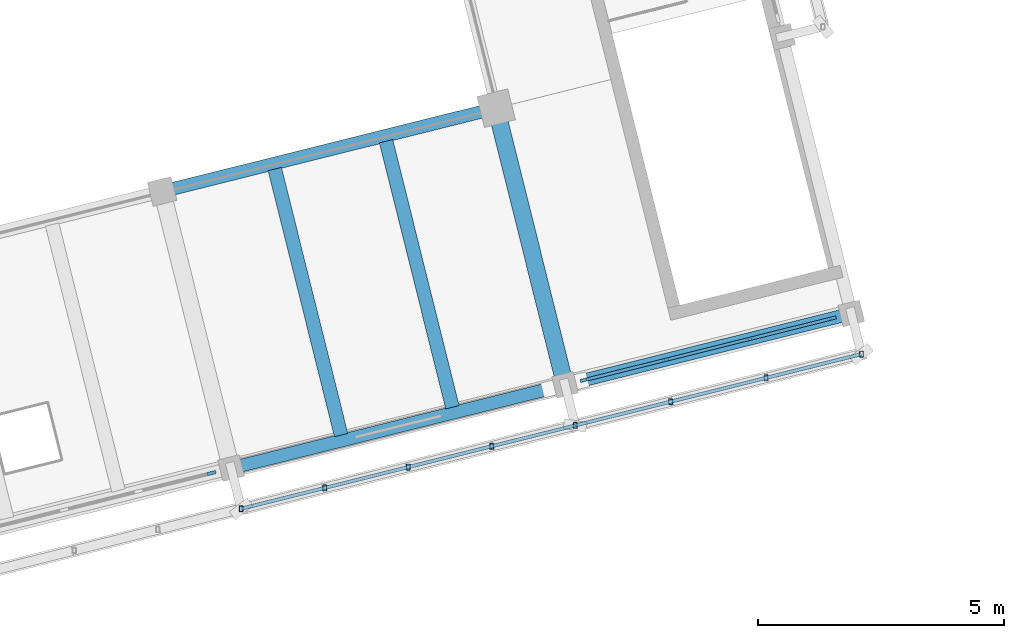
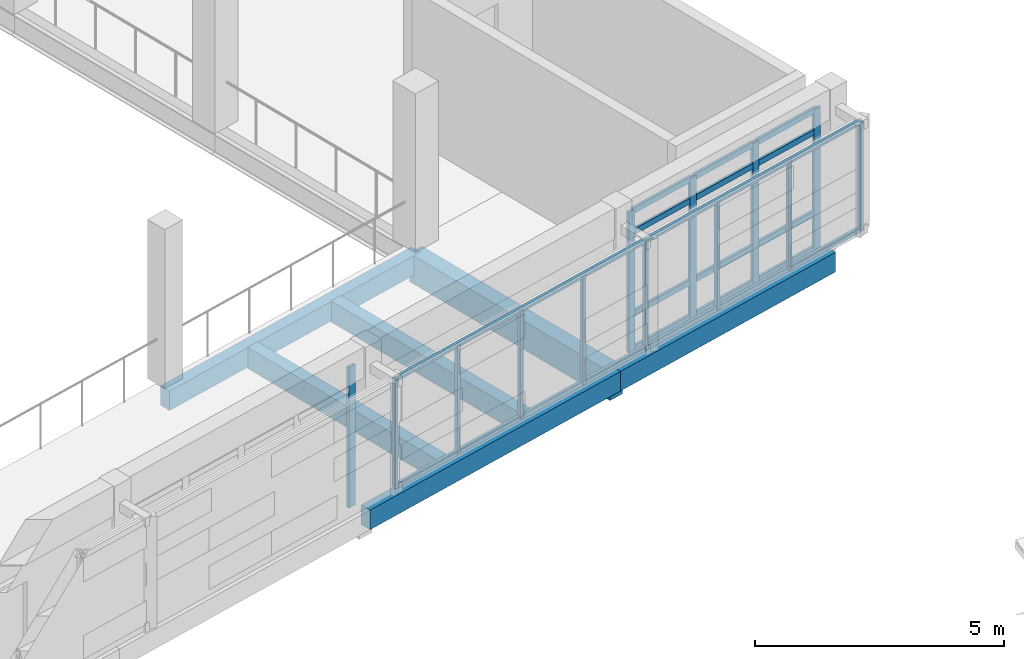
# One storey, part 12 of 117: 29 members, 6 beams, 2 elements without a shape of their own.
"""IFC4 building model written with IfcOpenShell, lengths in metres."""

from ifc_helpers import new_model, si_unit, direction, frame, origin, origin_2d, place, context, subcontext, project, spatial, rectangle, hollow_rectangle, extrude, material, material_profile, profile_set, type_object, element, aggregate, save


model = new_model("IFC4")

# Units and contexts
model_context = context("Model", 3, precision=1e-05, world=origin(), true_north=direction((0.0, 1.0)))
body_context = subcontext(model_context, "Body", "Model", "MODEL_VIEW")
ifc_project = project(units=[si_unit("LENGTHUNIT", "METRE"), si_unit("AREAUNIT", "SQUARE_METRE"), si_unit("VOLUMEUNIT", "CUBIC_METRE"), si_unit("PLANEANGLEUNIT", "RADIAN"), si_unit("MASSUNIT", "GRAM", prefix="KILO")], contexts=[model_context])

# Site, building, storey
site_placement = place(None, origin())
site = spatial("IfcSite", under=ifc_project, at=site_placement, CompositionType="ELEMENT")
building_placement = place(site_placement, origin())
building = spatial("IfcBuilding", under=site, at=building_placement, Name="Cinderway Yard Community Centre", CompositionType="ELEMENT")
storey_placement = place(building_placement, frame((0.0, 0.0, 9.0)))
storey = spatial("IfcBuildingStorey", under=building, at=storey_placement, Name="L02", CompositionType="ELEMENT", Elevation=9.0)

# Curtain wall, member
ifc_material_1 = material(Name="Aluminium 6063-T6", Category="aluminium")
curtain_wall_type_1 = type_object("IfcCurtainWallType", Name="ENV-CW-TYPE-08", PredefinedType="USERDEFINED", material=ifc_material_1)
curtain_wall_1_placement = place(storey_placement, origin())
curtain_wall_1 = element("IfcCurtainWall", 1, at=curtain_wall_1_placement, inside=storey, type_object=curtain_wall_type_1, Name="Sanctuary South Curtain Wall ENV-CW-L02-HS-0027", ObjectType="GLAZED CURTAIN WALL", PredefinedType="USERDEFINED")
ifc_material_profile_1 = material_profile(ifc_material_1, rectangle(XDim=0.06494140625, YDim=0.179931640625, at=origin_2d()), Name="Aluminium 6063-T6")
ifc_profile_set_1 = profile_set([ifc_material_profile_1], Name="Aluminium 6063-T6")
member_type_1 = type_object("IfcMemberType", Name="ENV-CW-MULL-180", PredefinedType="MULLION", material=ifc_profile_set_1)
member_1_placement = place(storey_placement, frame((41.19091796875, 24.4697265625, 0.0), z_axis=(0.0, 0.0, 1.0), x_axis=(-0.241856748919, 0.970311966845, 0.0)))
member_1 = element("IfcMember", 2, at=member_1_placement, type_object=member_type_1, Name="CW-08 mullion 5", PredefinedType="MULLION", context=body_context, shape_type="SweptSolid", body=[
    extrude(rectangle(XDim=0.06494140625, YDim=0.179931640625, at=origin_2d()), origin(), (0.0, 0.0, 1.0), 3.449951171875),
])
aggregate(curtain_wall_1, [member_1])

# Curtain wall, members
curtain_wall_type_2 = type_object("IfcCurtainWallType", Name="ENV-CW-TYPE-09", PredefinedType="USERDEFINED", material=ifc_material_1)
curtain_wall_2_placement = place(storey_placement, origin())
curtain_wall_2 = element("IfcCurtainWall", 3, at=curtain_wall_2_placement, inside=storey, type_object=curtain_wall_type_2, Name="Sanctuary South Curtain Wall ENV-CW-L02-HS-0028", ObjectType="GLAZED CURTAIN WALL", PredefinedType="USERDEFINED")
member_2_placement = place(storey_placement, frame((48.779052734375, 26.3623046875, 0.0), z_axis=(0.0, 0.0, 1.0), x_axis=(-0.241817034428, 0.970321865084, 0.0)))
member_2 = element("IfcMember", 4, at=member_2_placement, type_object=member_type_1, Name="CW-09 mullion 1", PredefinedType="MULLION", context=body_context, shape_type="SweptSolid", body=[
    extrude(rectangle(XDim=0.06494140625, YDim=0.179931640625, at=origin_2d()), origin(), (0.0, 0.0, 1.0), 3.449951171875),
])
member_3_placement = place(storey_placement, frame((50.444580078125, 26.77734375, 0.0), z_axis=(0.0, 0.0, 1.0), x_axis=(-0.241817034428, 0.970321865084, 0.0)))
member_3 = element("IfcMember", 5, at=member_3_placement, type_object=member_type_1, Name="CW-09 mullion 2", PredefinedType="MULLION", context=body_context, shape_type="SweptSolid", body=[
    extrude(rectangle(XDim=0.06494140625, YDim=0.179931640625, at=origin_2d()), origin(), (0.0, 0.0, 1.0), 3.449951171875),
])
member_4_placement = place(storey_placement, frame((52.139404296875, 27.19970703125, 0.0), z_axis=(0.0, 0.0, 1.0), x_axis=(-0.241817034428, 0.970321865084, 0.0)))
member_4 = element("IfcMember", 6, at=member_4_placement, type_object=member_type_1, Name="CW-09 mullion 3", PredefinedType="MULLION", context=body_context, shape_type="SweptSolid", body=[
    extrude(rectangle(XDim=0.06494140625, YDim=0.179931640625, at=origin_2d()), origin(), (0.0, 0.0, 1.0), 3.449951171875),
])
member_5_placement = place(storey_placement, frame((53.804931640625, 27.61474609375, 0.0), z_axis=(0.0, 0.0, 1.0), x_axis=(-0.241817034428, 0.970321865084, 0.0)))
member_5 = element("IfcMember", 7, at=member_5_placement, type_object=member_type_1, Name="CW-09 mullion 4", PredefinedType="MULLION", context=body_context, shape_type="SweptSolid", body=[
    extrude(rectangle(XDim=0.06494140625, YDim=0.179931640625, at=origin_2d()), origin(), (0.0, 0.0, 1.0), 3.449951171875),
])
ifc_material_profile_2 = material_profile(ifc_material_1, rectangle(XDim=0.06494140625, YDim=0.139892578125, at=origin_2d()), Name="Aluminium 6063-T6")
ifc_profile_set_2 = profile_set([ifc_material_profile_2], Name="Aluminium 6063-T6")
member_type_2 = type_object("IfcMemberType", Name="ENV-CW-TRAN-140", PredefinedType="USERDEFINED", material=ifc_profile_set_2)
member_6_placement = place(storey_placement, frame((48.80810546875, 26.36962890625, 0.030029296875), z_axis=(0.970350209099, 0.241703272011, 0.0), x_axis=(-0.241703272011, 0.970350209099, 0.0)))
member_6 = element("IfcMember", 8, at=member_6_placement, type_object=member_type_2, Name="CW-09 transom 1.1", ObjectType="TRANSOM", PredefinedType="USERDEFINED", context=body_context, shape_type="SweptSolid", body=[
    extrude(rectangle(XDim=0.06494140625, YDim=0.139892578125, at=origin_2d()), origin(), (0.0, 0.0, 1.0), 1.656494140625),
])
member_7_placement = place(storey_placement, frame((48.80810546875, 26.36962890625, 0.89990234375), z_axis=(0.970350209099, 0.241703272011, 0.0), x_axis=(-0.241703272011, 0.970350209099, 0.0)))
member_7 = element("IfcMember", 9, at=member_7_placement, type_object=member_type_2, Name="CW-09 transom 1.2", ObjectType="TRANSOM", PredefinedType="USERDEFINED", context=body_context, shape_type="SweptSolid", body=[
    extrude(rectangle(XDim=0.06494140625, YDim=0.139892578125, at=origin_2d()), origin(), (0.0, 0.0, 1.0), 1.656494140625),
])
member_8_placement = place(storey_placement, frame((48.80810546875, 26.36962890625, 2.89990234375), z_axis=(0.970350209099, 0.241703272011, 0.0), x_axis=(-0.241703272011, 0.970350209099, 0.0)))
member_8 = element("IfcMember", 10, at=member_8_placement, type_object=member_type_2, Name="CW-09 transom 1.3", ObjectType="TRANSOM", PredefinedType="USERDEFINED", context=body_context, shape_type="SweptSolid", body=[
    extrude(rectangle(XDim=0.06494140625, YDim=0.139892578125, at=origin_2d()), origin(), (0.0, 0.0, 1.0), 1.656494140625),
])
member_9_placement = place(storey_placement, frame((48.80810546875, 26.36962890625, 3.419921875), z_axis=(0.970350209099, 0.241703272011, 0.0), x_axis=(-0.241703272011, 0.970350209099, 0.0)))
member_9 = element("IfcMember", 11, at=member_9_placement, type_object=member_type_2, Name="CW-09 transom 1.4", ObjectType="TRANSOM", PredefinedType="USERDEFINED", context=body_context, shape_type="SweptSolid", body=[
    extrude(rectangle(XDim=0.06494140625, YDim=0.139892578125, at=origin_2d()), origin(), (0.0, 0.0, 1.0), 1.656494140625),
])
member_10_placement = place(storey_placement, frame((50.473876953125, 26.78466796875, 0.030029296875), z_axis=(0.970329575716, 0.241786092427, 0.0), x_axis=(-0.241786092427, 0.970329575716, 0.0)))
member_10 = element("IfcMember", 12, at=member_10_placement, type_object=member_type_2, Name="CW-09 transom 2.1", ObjectType="TRANSOM", PredefinedType="USERDEFINED", context=body_context, shape_type="SweptSolid", body=[
    extrude(rectangle(XDim=0.06494140625, YDim=0.139892578125, at=origin_2d()), origin(), (0.0, 0.0, 1.0), 1.686279296875),
])
member_11_placement = place(storey_placement, frame((50.473876953125, 26.78466796875, 0.89990234375), z_axis=(0.970329575716, 0.241786092427, 0.0), x_axis=(-0.241786092427, 0.970329575716, 0.0)))
member_11 = element("IfcMember", 13, at=member_11_placement, type_object=member_type_2, Name="CW-09 transom 2.2", ObjectType="TRANSOM", PredefinedType="USERDEFINED", context=body_context, shape_type="SweptSolid", body=[
    extrude(rectangle(XDim=0.06494140625, YDim=0.139892578125, at=origin_2d()), origin(), (0.0, 0.0, 1.0), 1.686279296875),
])
member_12_placement = place(storey_placement, frame((50.473876953125, 26.78466796875, 2.89990234375), z_axis=(0.970329575716, 0.241786092427, 0.0), x_axis=(-0.241786092427, 0.970329575716, 0.0)))
member_12 = element("IfcMember", 14, at=member_12_placement, type_object=member_type_2, Name="CW-09 transom 2.3", ObjectType="TRANSOM", PredefinedType="USERDEFINED", context=body_context, shape_type="SweptSolid", body=[
    extrude(rectangle(XDim=0.06494140625, YDim=0.139892578125, at=origin_2d()), origin(), (0.0, 0.0, 1.0), 1.686279296875),
])
member_13_placement = place(storey_placement, frame((50.473876953125, 26.78466796875, 3.419921875), z_axis=(0.970329575716, 0.241786092427, 0.0), x_axis=(-0.241786092427, 0.970329575716, 0.0)))
member_13 = element("IfcMember", 15, at=member_13_placement, type_object=member_type_2, Name="CW-09 transom 2.4", ObjectType="TRANSOM", PredefinedType="USERDEFINED", context=body_context, shape_type="SweptSolid", body=[
    extrude(rectangle(XDim=0.06494140625, YDim=0.139892578125, at=origin_2d()), origin(), (0.0, 0.0, 1.0), 1.686279296875),
])
member_14_placement = place(storey_placement, frame((52.16845703125, 27.20703125, 0.030029296875), z_axis=(0.970350209099, 0.241703272011, 0.0), x_axis=(-0.241703272011, 0.970350209099, 0.0)))
member_14 = element("IfcMember", 16, at=member_14_placement, type_object=member_type_2, Name="CW-09 transom 3.1", ObjectType="TRANSOM", PredefinedType="USERDEFINED", context=body_context, shape_type="SweptSolid", body=[
    extrude(rectangle(XDim=0.06494140625, YDim=0.139892578125, at=origin_2d()), origin(), (0.0, 0.0, 1.0), 1.656494140625),
])
member_15_placement = place(storey_placement, frame((52.16845703125, 27.20703125, 0.89990234375), z_axis=(0.970350209099, 0.241703272011, 0.0), x_axis=(-0.241703272011, 0.970350209099, 0.0)))
member_15 = element("IfcMember", 17, at=member_15_placement, type_object=member_type_2, Name="CW-09 transom 3.2", ObjectType="TRANSOM", PredefinedType="USERDEFINED", context=body_context, shape_type="SweptSolid", body=[
    extrude(rectangle(XDim=0.06494140625, YDim=0.139892578125, at=origin_2d()), origin(), (0.0, 0.0, 1.0), 1.656494140625),
])
member_16_placement = place(storey_placement, frame((52.16845703125, 27.20703125, 2.89990234375), z_axis=(0.970350209099, 0.241703272011, 0.0), x_axis=(-0.241703272011, 0.970350209099, 0.0)))
member_16 = element("IfcMember", 18, at=member_16_placement, type_object=member_type_2, Name="CW-09 transom 3.3", ObjectType="TRANSOM", PredefinedType="USERDEFINED", context=body_context, shape_type="SweptSolid", body=[
    extrude(rectangle(XDim=0.06494140625, YDim=0.139892578125, at=origin_2d()), origin(), (0.0, 0.0, 1.0), 1.656494140625),
])
member_17_placement = place(storey_placement, frame((52.16845703125, 27.20703125, 3.419921875), z_axis=(0.970350209099, 0.241703272011, 0.0), x_axis=(-0.241703272011, 0.970350209099, 0.0)))
member_17 = element("IfcMember", 19, at=member_17_placement, type_object=member_type_2, Name="CW-09 transom 3.4", ObjectType="TRANSOM", PredefinedType="USERDEFINED", context=body_context, shape_type="SweptSolid", body=[
    extrude(rectangle(XDim=0.06494140625, YDim=0.139892578125, at=origin_2d()), origin(), (0.0, 0.0, 1.0), 1.656494140625),
])
aggregate(curtain_wall_2, [member_2, member_3, member_4, member_5, member_6, member_7, member_8, member_9, member_10, member_11, member_12, member_13, member_14, member_15, member_16, member_17])

# Members
ifc_material_2 = material(Name="Steel S355", Category="steel")
ifc_material_profile_3 = material_profile(ifc_material_2, hollow_rectangle(XDim=0.080078125, YDim=0.1201171875, WallThickness=0.00634765625, InnerFilletRadius=0.00634765625, OuterFilletRadius=0.0126953125, at=origin_2d()), Name="Steel S355")
ifc_profile_set_3 = profile_set([ifc_material_profile_3], Name="Steel S355")
member_type_3 = type_object("IfcMemberType", Name="ENV-MEM-SCREEN-RAIL-120", PredefinedType="STRINGER", material=ifc_profile_set_3)
member_18_placement = place(storey_placement, frame((41.794921875, 23.743896484375, 0.68994140625), z_axis=(0.0, 0.0, 1.0), x_axis=(1.0, 0.0, 0.0)))
element("IfcMember", 20, at=member_18_placement, inside=storey, type_object=member_type_3, Name="Screen vertical mullion 0953", PredefinedType="STRINGER", context=body_context, shape_type="SweptSolid", body=[
    extrude(hollow_rectangle(XDim=0.080078125, YDim=0.1201171875, WallThickness=0.00634765625, InnerFilletRadius=0.00634765625, OuterFilletRadius=0.0126953125, at=origin_2d()), origin(), (0.0, 0.0, 1.0), 2.670166015625),
])
for number, where, z_axis, x_axis, name in (
    (21, (41.794921875, 23.743896484375, 0.7099609375), (0.970273659022, 0.242010385333, 0.0), (-0.242010385333, 0.970273659022, 0.0), "Screen support rail 0955-BOT"),
    (22, (41.794921875, 23.743896484375, 3.340087890625), (0.970273659022, 0.242010385333, 0.0), (-0.242010385333, 0.970273659022, 0.0), "Screen support rail 0956-TOP"),
):
    element("IfcMember", number, at=place(storey_placement, frame(where, z_axis=z_axis, x_axis=x_axis)), inside=storey, type_object=member_type_3, Name=name, PredefinedType="STRINGER", context=body_context, shape_type="SweptSolid", body=[
        extrude(hollow_rectangle(XDim=0.080078125, YDim=0.1201171875, WallThickness=0.00634765625, InnerFilletRadius=0.00634765625, OuterFilletRadius=0.0126953125, at=origin_2d()), origin(), (0.0, 0.0, 1.0), 7.0),
    ])
for number, where, z_axis, x_axis, name in (
    (23, (43.492919921875, 24.16796875, 0.68994140625), (0.0, 0.0, 1.0), (1.0, 0.0, 0.0), "Screen vertical mullion 0957"),
    (24, (45.19091796875, 24.591064453125, 0.68994140625), (0.0, 0.0, 1.0), (1.0, 0.0, 0.0), "Screen vertical mullion 0958"),
    (25, (46.888916015625, 25.013916015625, 0.68994140625), (0.0, 0.0, 1.0), (1.0, 0.0, 0.0), "Screen vertical mullion 0959"),
    (26, (48.5869140625, 25.43798828125, 0.68994140625), (0.0, 0.0, 1.0), (1.0, 0.0, 0.0), "Screen vertical mullion 0960"),
):
    element("IfcMember", number, at=place(storey_placement, frame(where, z_axis=z_axis, x_axis=x_axis)), inside=storey, type_object=member_type_3, Name=name, PredefinedType="STRINGER", context=body_context, shape_type="SweptSolid", body=[
        extrude(hollow_rectangle(XDim=0.080078125, YDim=0.1201171875, WallThickness=0.00634765625, InnerFilletRadius=0.00634765625, OuterFilletRadius=0.0126953125, at=origin_2d()), origin(), (0.0, 0.0, 1.0), 2.670166015625),
    ])
for number, where, z_axis, x_axis, name in (
    (27, (48.5869140625, 25.43798828125, 0.7099609375), (0.970321746773, 0.241817509166, 0.0), (-0.241817509166, 0.970321746773, 0.0), "Screen support rail 0962-BOT"),
    (28, (48.5869140625, 25.43798828125, 3.340087890625), (0.970321746773, 0.241817509166, 0.0), (-0.241817509166, 0.970321746773, 0.0), "Screen support rail 0963-TOP"),
):
    element("IfcMember", number, at=place(storey_placement, frame(where, z_axis=z_axis, x_axis=x_axis)), inside=storey, type_object=member_type_3, Name=name, PredefinedType="STRINGER", context=body_context, shape_type="SweptSolid", body=[
        extrude(hollow_rectangle(XDim=0.080078125, YDim=0.1201171875, WallThickness=0.00634765625, InnerFilletRadius=0.00634765625, OuterFilletRadius=0.0126953125, at=origin_2d()), origin(), (0.0, 0.0, 1.0), 6.0),
    ])
for number, where, z_axis, x_axis, name in (
    (29, (50.528076171875, 25.922119140625, 0.68994140625), (0.0, 0.0, 1.0), (1.0, 0.0, 0.0), "Screen vertical mullion 0964"),
    (30, (52.468017578125, 26.405029296875, 0.68994140625), (0.0, 0.0, 1.0), (1.0, 0.0, 0.0), "Screen vertical mullion 0965"),
    (31, (54.408935546875, 26.888916015625, 0.68994140625), (0.0, 0.0, 1.0), (1.0, 0.0, 0.0), "Screen vertical mullion 0966"),
):
    element("IfcMember", number, at=place(storey_placement, frame(where, z_axis=z_axis, x_axis=x_axis)), inside=storey, type_object=member_type_3, Name=name, PredefinedType="STRINGER", context=body_context, shape_type="SweptSolid", body=[
        extrude(hollow_rectangle(XDim=0.080078125, YDim=0.1201171875, WallThickness=0.00634765625, InnerFilletRadius=0.00634765625, OuterFilletRadius=0.0126953125, at=origin_2d()), origin(), (0.0, 0.0, 1.0), 2.670166015625),
    ])

# Beams
ifc_material_3 = material(Name="Concrete C40/50", Category="concrete")
ifc_material_profile_4 = material_profile(ifc_material_3, rectangle(XDim=0.260009765625, YDim=0.47998046875, at=origin_2d()), Name="Concrete C40/50")
ifc_profile_set_4 = profile_set([ifc_material_profile_4], Name="Concrete C40/50")
beam_type_1 = type_object("IfcBeamType", Name="STR-BM-RC260X480", PredefinedType="SPANDREL", material=ifc_profile_set_4)
beam_1_placement = place(storey_placement, frame((41.589111328125, 24.569091796875, -0.47998046875), z_axis=(0.970281848186, 0.24197755078, 0.0), x_axis=(-0.24197755078, 0.970281848186, 0.0)))
element("IfcBeam", 32, at=beam_1_placement, inside=storey, type_object=beam_type_1, Name="Primary girder STR-BM-L02-SP01-0327", PredefinedType="SPANDREL", context=body_context, shape_type="SweptSolid", body=[
    extrude(rectangle(XDim=0.260009765625, YDim=0.47998046875, at=origin_2d()), origin(), (0.0, 0.0, 1.0), 7.0),
])
beam_2_placement = place(storey_placement, frame((48.381103515625, 26.262939453125, -0.47998046875), z_axis=(0.970309818485, 0.241865367822, 0.0), x_axis=(-0.241865367822, 0.970309818485, 0.0)))
element("IfcBeam", 33, at=beam_2_placement, inside=storey, type_object=beam_type_1, Name="Primary girder STR-BM-L02-SP01-0328", PredefinedType="SPANDREL", context=body_context, shape_type="SweptSolid", body=[
    extrude(rectangle(XDim=0.260009765625, YDim=0.47998046875, at=origin_2d()), origin(), (0.0, 0.0, 1.0), 6.0),
])
beam_3_placement = place(storey_placement, frame((40.18603515625, 30.197021484375, -0.47998046875), z_axis=(0.970273659022, 0.242010385333, 0.0), x_axis=(-0.242010385333, 0.970273659022, 0.0)))
element("IfcBeam", 34, at=beam_3_placement, inside=storey, type_object=beam_type_1, Name="Primary girder STR-BM-L02-SP01-0331", PredefinedType="SPANDREL", context=body_context, shape_type="SweptSolid", body=[
    extrude(rectangle(XDim=0.260009765625, YDim=0.47998046875, at=origin_2d()), origin(), (0.0, 0.0, 1.0), 7.0),
])
ifc_material_4 = material(Name="Concrete C35/45", Category="concrete")
ifc_material_profile_5 = material_profile(ifc_material_4, rectangle(XDim=0.280029296875, YDim=0.52001953125, at=origin_2d()), Name="Concrete C35/45")
ifc_profile_set_5 = profile_set([ifc_material_profile_5], Name="Concrete C35/45")
beam_type_2 = type_object("IfcBeamType", Name="STR-BM-RC280X520", PredefinedType="JOIST", material=ifc_profile_set_5)
beam_4_placement = place(storey_placement, frame((43.825927734375, 25.242919921875, -0.5), z_axis=(-0.241917421093, 0.970296841885, 0.0), x_axis=(-0.970296841885, -0.241917421093, 0.0)))
element("IfcBeam", 35, at=beam_4_placement, inside=storey, type_object=beam_type_2, Name="Secondary joist STR-BM-L02-BJ04-0341", PredefinedType="JOIST", context=body_context, shape_type="SweptSolid", body=[
    extrude(rectangle(XDim=0.280029296875, YDim=0.52001953125, at=origin_2d()), origin(), (0.0, 0.0, 1.0), 5.57568359375),
])
beam_5_placement = place(storey_placement, frame((46.090087890625, 25.806884765625, -0.5), z_axis=(-0.241917532688, 0.970296814062, 0.0), x_axis=(-0.970296814062, -0.241917532688, 0.0)))
element("IfcBeam", 36, at=beam_5_placement, inside=storey, type_object=beam_type_2, Name="Secondary joist STR-BM-L02-BJ04-0342", PredefinedType="JOIST", context=body_context, shape_type="SweptSolid", body=[
    extrude(rectangle(XDim=0.280029296875, YDim=0.52001953125, at=origin_2d()), origin(), (0.0, 0.0, 1.0), 5.57666015625),
])
ifc_material_profile_6 = material_profile(ifc_material_4, rectangle(XDim=0.35009765625, YDim=0.699951171875, at=origin_2d()), Name="Concrete C35/45")
ifc_profile_set_6 = profile_set([ifc_material_profile_6], Name="Concrete C35/45")
beam_type_3 = type_object("IfcBeamType", Name="STR-BM-RC350X700", PredefinedType="BEAM", material=ifc_profile_set_6)
beam_6_placement = place(storey_placement, frame((48.381103515625, 26.262939453125, -0.590087890625), z_axis=(-0.241891840607, 0.970303219333, 0.0), x_axis=(-0.970303219333, -0.241891840607, 0.0)))
element("IfcBeam", 37, at=beam_6_placement, inside=storey, type_object=beam_type_3, Name="Transverse girder STR-BM-L02-BG07-0335", PredefinedType="BEAM", context=body_context, shape_type="SweptSolid", body=[
    extrude(rectangle(XDim=0.35009765625, YDim=0.699951171875, at=origin_2d()), origin(), (0.0, 0.0, 1.0), 5.800537109375),
])

save(model, "model.ifc")
